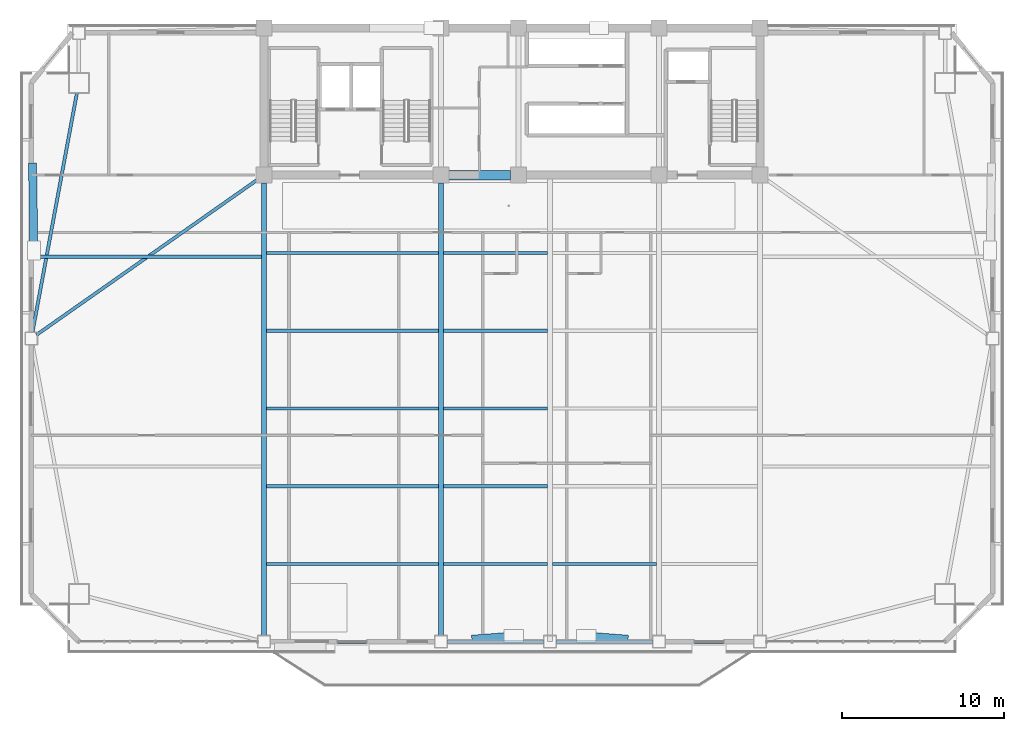
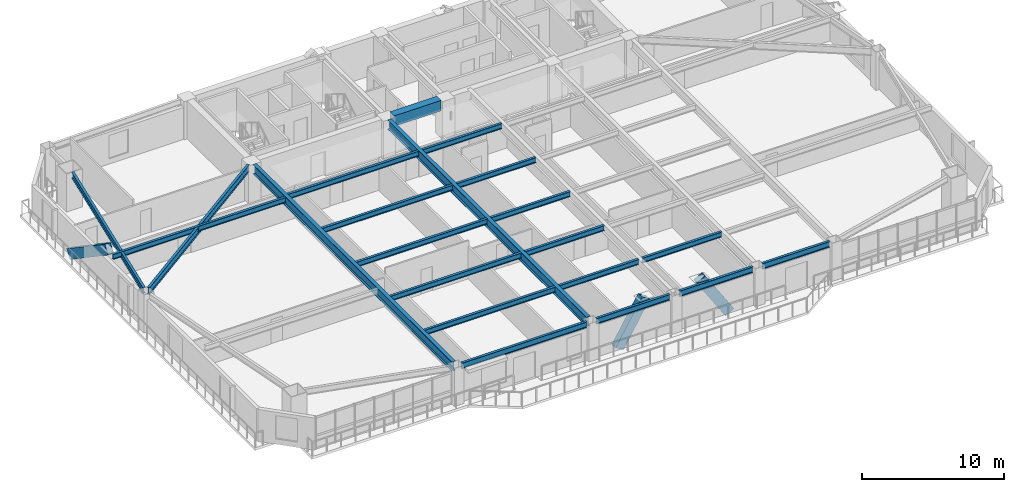
# One storey, part 3 of 15: 21 beams, 3 members.
"""IFC4 building model written with IfcOpenShell, lengths in metres."""

import ifcopenshell
import ifcopenshell.guid

model = None  # the IFC model being written
_history = None  # IfcOwnerHistory: only IFC2X3 demands one
_inside = {}  # id of a spatial element -> (the spatial element, [elements in it])
_under = {}  # id of a project, library or spatial element -> (it, [spatial elements below it])
_declared = {}  # id of a project -> (the project, [libraries it declares])
_typed = {}  # id of a type object -> (the type object, [elements of that type])
_made_of = {}  # id of a material, layer set ... -> (it, [elements and type objects made of it])


def new_model(schema):
    """Start an empty IFC model of exactly this schema.

    Asked for "IFC4X3", IfcOpenShell would pick the latest addendum, in which some entities
    have other attributes; the version numbers below select the first issue.
    IFC2X3 requires an IfcOwnerHistory on every rooted entity: one is made here for all.
    """
    global model, _history
    if schema == "IFC4X3":
        model = ifcopenshell.file(schema_version=(4, 3, 0, 0))
    else:
        model = ifcopenshell.file(schema=schema)
    _inside.clear()
    _under.clear()
    _declared.clear()
    _typed.clear()
    _made_of.clear()
    _history = None
    if model.schema == "IFC2X3":
        org = make("IfcOrganization", Name="unknown")
        user = make(
            "IfcPersonAndOrganization",
            ThePerson=make("IfcPerson", FamilyName="unknown"),
            TheOrganization=org,
        )
        app = make(
            "IfcApplication",
            ApplicationDeveloper=org,
            Version="unknown",
            ApplicationFullName="unknown",
            ApplicationIdentifier="unknown",
        )
        _history = make(
            "IfcOwnerHistory",
            OwningUser=user,
            OwningApplication=app,
            ChangeAction="ADDED",
            CreationDate=0,
        )
    return model


def make(cls, **values):
    """One entity of the class cls with the attributes given. An attribute that is None is left unset."""
    return model.create_entity(
        cls, **{name: value for name, value in values.items() if value is not None}
    )


def rooted(cls, **values):
    """An entity with a GlobalId (a new one), such as an element, a storey or a relation."""
    return make(cls, GlobalId=ifcopenshell.guid.new(), OwnerHistory=_history, **values)


def si_unit(unit_type, name, prefix=None):
    """IfcSIUnit, for example si_unit("LENGTHUNIT", "METRE", prefix="MILLI")."""
    return make("IfcSIUnit", UnitType=unit_type, Prefix=prefix, Name=name)


def assignment(units):
    """IfcUnitAssignment: the units of a project."""
    return None if units is None else make("IfcUnitAssignment", Units=units)


def point(xyz):
    """IfcCartesianPoint."""
    return None if xyz is None else make("IfcCartesianPoint", Coordinates=xyz)


def direction(xyz):
    """IfcDirection."""
    return None if xyz is None else make("IfcDirection", DirectionRatios=xyz)


def frame(location, z_axis=None, x_axis=None):
    """IfcAxis2Placement3D, a coordinate frame: its origin and axes. An axis left out is left unset."""
    return make(
        "IfcAxis2Placement3D",
        Location=point(location),
        Axis=direction(z_axis),
        RefDirection=direction(x_axis),
    )


def frame_2d(location, x_axis=None):
    """IfcAxis2Placement2D, a coordinate frame in the plane: its origin and x axis."""
    return make(
        "IfcAxis2Placement2D", Location=point(location), RefDirection=direction(x_axis)
    )


def origin():
    """The frame at (0, 0, 0) with its axes left unset."""
    return frame((0.0, 0.0, 0.0))


def origin_2d():
    """The frame at (0, 0) in the plane with its x axis left unset."""
    return frame_2d((0.0, 0.0))


def place(relative_to, where):
    """IfcLocalPlacement: puts the frame where relative to a parent placement (None: the world)."""
    return make(
        "IfcLocalPlacement", PlacementRelTo=relative_to, RelativePlacement=where
    )


def context(
    kind, dimensions, precision=None, world=None, true_north=None, identifier=None
):
    """IfcGeometricRepresentationContext, for example the 3D "Model" context."""
    return make(
        "IfcGeometricRepresentationContext",
        ContextIdentifier=identifier,
        ContextType=kind,
        CoordinateSpaceDimension=dimensions,
        Precision=precision,
        WorldCoordinateSystem=world,
        TrueNorth=true_north,
    )


def subcontext(parent, identifier, kind, view, scale=None):
    """IfcGeometricRepresentationSubContext, for example "Body" below "Model"."""
    return make(
        "IfcGeometricRepresentationSubContext",
        ContextIdentifier=identifier,
        ContextType=kind,
        ParentContext=parent,
        TargetScale=scale,
        TargetView=view,
    )


def project(units=None, contexts=None):
    """IfcProject with its units and contexts."""
    return rooted(
        "IfcProject",
        Name="project",
        RepresentationContexts=contexts,
        UnitsInContext=assignment(units),
    )


def spatial(cls, under=None, at=None, **own):
    """A site, building, storey or space (cls), placed at a placement, below another one or the project."""
    s = rooted(cls, ObjectPlacement=at, **own)
    if under is not None:
        _under.setdefault(under.id(), (under, []))[1].append(s)
    return s


def profile(cls, at=None, kind="AREA", **sizes):
    """A parametric profile (cls). Its sizes go by their IFC names, for example OverallWidth=200.0."""
    return make(cls, ProfileType=kind, Position=at, **sizes)


def rectangle(**sizes):
    """IfcRectangleProfileDef."""
    return profile("IfcRectangleProfileDef", **sizes)


def hollow_rectangle(**sizes):
    """IfcRectangleHollowProfileDef."""
    return profile("IfcRectangleHollowProfileDef", **sizes)


def i_section(**sizes):
    """IfcIShapeProfileDef."""
    return profile("IfcIShapeProfileDef", **sizes)


def extrude(swept, where, along, depth):
    """IfcExtrudedAreaSolid: the profile swept, set in the frame where, extruded along a direction by depth."""
    return make(
        "IfcExtrudedAreaSolid",
        SweptArea=swept,
        Position=where,
        ExtrudedDirection=direction(along),
        Depth=depth,
    )


def shape(context_of_items, identifier, shape_type, items):
    """IfcShapeRepresentation: the items that make up one representation, for example the "Body"."""
    return make(
        "IfcShapeRepresentation",
        ContextOfItems=context_of_items,
        RepresentationIdentifier=identifier,
        RepresentationType=shape_type,
        Items=items,
    )


def source(mapping_origin, context_of_items, identifier, shape_type, items):
    """IfcRepresentationMap: a shape defined once, which mapped items show again and again."""
    return make(
        "IfcRepresentationMap",
        MappingOrigin=mapping_origin,
        MappedRepresentation=shape(context_of_items, identifier, shape_type, items),
    )


def transform(
    local_origin,
    x_axis=None,
    y_axis=None,
    z_axis=None,
    scale=None,
    scale2=None,
    scale3=None,
    uniform=True,
):
    """IfcCartesianTransformationOperator3D, or its non-uniform kind. x_axis, y_axis, z_axis: its Axis1, 2, 3."""
    if uniform:
        return make(
            "IfcCartesianTransformationOperator3D",
            Axis1=direction(x_axis),
            Axis2=direction(y_axis),
            LocalOrigin=point(local_origin),
            Scale=scale,
            Axis3=direction(z_axis),
        )
    return make(
        "IfcCartesianTransformationOperator3DnonUniform",
        Axis1=direction(x_axis),
        Axis2=direction(y_axis),
        LocalOrigin=point(local_origin),
        Scale=scale,
        Axis3=direction(z_axis),
        Scale2=scale2,
        Scale3=scale3,
    )


def mapped(mapping_source, mapping_target):
    """IfcMappedItem: shows the shape of a source again, moved by a transform."""
    return make(
        "IfcMappedItem", MappingSource=mapping_source, MappingTarget=mapping_target
    )


def material(Name=None, Category=None):
    """IfcMaterial."""
    return make("IfcMaterial", Name=Name, Category=Category)


def material_profile(
    of_material, cross_section, Name=None, Category=None, Priority=None
):
    """IfcMaterialProfile: a cross section and its material."""
    return make(
        "IfcMaterialProfile",
        Name=Name,
        Material=of_material,
        Profile=cross_section,
        Priority=Priority,
        Category=Category,
    )


def profile_set(profiles, Name=None, composite=None):
    """IfcMaterialProfileSet."""
    return make(
        "IfcMaterialProfileSet",
        Name=Name,
        MaterialProfiles=profiles,
        CompositeProfile=composite,
    )


def made_of(thing, what):
    """Note that an element or type object is made of a material, layer set ...; save() writes the relation."""
    if what is not None:
        _made_of.setdefault(what.id(), (what, []))[1].append(thing)
    return thing


def type_object(cls, material=None, **own):
    """A type object (cls), such as IfcWallType, which elements share."""
    return made_of(rooted(cls, **own), material)


def element(
    cls,
    number,
    at=None,
    inside=None,
    cuts=None,
    type_object=None,
    material=None,
    context=None,
    identifier="Body",
    shape_type=None,
    held_by="IfcProductDefinitionShape",
    body=None,
    shapes=None,
    **own,
):
    """One element of the class cls, such as IfcWall. Its Tag is "e" and its number.

    at: its placement. inside: the storey or other place that contains it. cuts: it is an
    opening in that element (IfcRelVoidsElement). A single representation is given by context,
    identifier, shape_type and body (its items); several are given by shapes. held_by: the class
    of the entity that holds the representations. save() writes the other relations.
    """
    e = rooted(cls, Tag="e%d" % number, ObjectPlacement=at, **own)
    if body is not None:
        shapes = [shape(context, identifier, shape_type, body)]
    if shapes is not None:
        e.Representation = make(held_by, Representations=shapes)
    if inside is not None:
        _inside.setdefault(inside.id(), (inside, []))[1].append(e)
    if cuts is not None:
        rooted(
            "IfcRelVoidsElement", RelatingBuildingElement=cuts, RelatedOpeningElement=e
        )
    if type_object is not None:
        _typed.setdefault(type_object.id(), (type_object, []))[1].append(e)
    return made_of(e, material)


def aggregate(whole, parts):
    """IfcRelAggregates: a whole, such as a stair, and the parts it consists of."""
    return rooted("IfcRelAggregates", RelatingObject=whole, RelatedObjects=parts)


def save(model, path):
    """Write the relations noted so far, then the file.

    IfcRelAggregates (storeys below a building ...), IfcRelContainedInSpatialStructure (elements
    in a storey), IfcRelDefinesByType, IfcRelAssociatesMaterial and IfcRelDeclares: one each for
    every whole, place, type object, material and project.
    """
    for whole, parts in _under.values():
        aggregate(whole, parts)
    for where, things in _inside.values():
        rooted(
            "IfcRelContainedInSpatialStructure",
            RelatedElements=things,
            RelatingStructure=where,
        )
    for kind, things in _typed.values():
        rooted("IfcRelDefinesByType", RelatedObjects=things, RelatingType=kind)
    for what, things in _made_of.values():
        rooted("IfcRelAssociatesMaterial", RelatedObjects=things, RelatingMaterial=what)
    for by, libraries in _declared.values():
        rooted("IfcRelDeclares", RelatingContext=by, RelatedDefinitions=libraries)
    model.write(path)


model = new_model("IFC4")

# Units and contexts
model_context = context("Model", 3, precision=1e-05, world=origin(), true_north=direction((0.0, 1.0)))
body_context = subcontext(model_context, "Body", "Model", "MODEL_VIEW")
ifc_project = project(units=[si_unit("LENGTHUNIT", "METRE"), si_unit("AREAUNIT", "SQUARE_METRE"), si_unit("VOLUMEUNIT", "CUBIC_METRE"), si_unit("PLANEANGLEUNIT", "RADIAN"), si_unit("MASSUNIT", "GRAM", prefix="KILO")], contexts=[model_context])

# Site, building, storey
site_placement = place(None, origin())
site = spatial("IfcSite", under=ifc_project, at=site_placement, CompositionType="ELEMENT")
building_placement = place(site_placement, origin())
building = spatial("IfcBuilding", under=site, at=building_placement, Name="Giltprow Tower", CompositionType="ELEMENT")
storey_placement = place(building_placement, frame((0.0, 0.0, 152.699951171875)))
storey = spatial("IfcBuildingStorey", under=building, at=storey_placement, Name="L37", CompositionType="ELEMENT", Elevation=152.699951171875)

# Beams
ifc_material_1 = material(Name="Structural steel Q355B", Category="steel")
ifc_material_profile_1 = material_profile(ifc_material_1, i_section(OverallWidth=0.199951171875, OverallDepth=0.449951171875, WebThickness=0.009033203125, FlangeThickness=0.013916015625, at=origin_2d()), Name="HN 450x200x9x14")
ifc_profile_set_1 = profile_set([ifc_material_profile_1], Name="Structural steel Q355B")
beam_type_1 = type_object("IfcBeamType", Name="BM-JOIST-HN450", PredefinedType="JOIST", material=ifc_profile_set_1)
shared_shape_1 = source(origin(), body_context, "Body", "SweptSolid", [
    extrude(i_section(OverallWidth=0.199951171875, OverallDepth=0.449951171875, WebThickness=0.009033203125, FlangeThickness=0.013916015625, at=origin_2d()), origin(), (0.0, 0.0, 1.0), 10.659912109375),
])
for number, where, z_axis, x_axis, name in (
    (1, (19.9951171875, 13.385009765625, 3.045166015625), (1.0, 0.0, 0.0), (0.0, 1.0, 0.0), "L37 Composite Floor Joist 1-1"),
    (2, (19.9951171875, 18.197998046875, 3.045166015625), (1.0, 0.0, 0.0), (0.0, 1.0, 0.0), "L37 Composite Floor Joist 2-1"),
    (3, (19.9951171875, 23.010986328125, 3.045166015625), (1.0, 0.0, 0.0), (0.0, 1.0, 0.0), "L37 Composite Floor Joist 3-1"),
    (4, (19.9951171875, 27.823974609375, 3.045166015625), (1.0, 0.0, 0.0), (0.0, 1.0, 0.0), "L37 Composite Floor Joist 4-1"),
    (5, (19.9951171875, 32.636962890625, 3.045166015625), (1.0, 0.0, 0.0), (0.0, 1.0, 0.0), "L37 Composite Floor Joist 5-1"),
):
    element("IfcBeam", number, at=place(storey_placement, frame(where, z_axis=z_axis, x_axis=x_axis)), inside=storey, type_object=beam_type_1, Name=name, PredefinedType="JOIST", context=body_context, shape_type="MappedRepresentation", body=[
        mapped(shared_shape_1, transform((0.0, 0.0, 0.0), x_axis=(1.0, 0.0, 0.0), y_axis=(0.0, 1.0, 0.0), z_axis=(0.0, 0.0, 1.0), scale=1.0)),
    ])
shared_shape_2 = source(origin(), body_context, "Body", "SweptSolid", [
    extrude(i_section(OverallWidth=0.199951171875, OverallDepth=0.449951171875, WebThickness=0.009033203125, FlangeThickness=0.013916015625, at=origin_2d()), origin(), (0.0, 0.0, 1.0), 6.4599609375),
])
for number, where, z_axis, x_axis, name in (
    (6, (30.945068359375, 13.385009765625, 3.045166015625), (1.0, 0.0, 0.0), (0.0, 1.0, 0.0), "L37 Composite Floor Joist 1-2"),
    (7, (37.695068359375, 13.385009765625, 3.045166015625), (1.0, 0.0, 0.0), (0.0, 1.0, 0.0), "L37 Composite Floor Joist 1-3"),
    (8, (30.945068359375, 18.197998046875, 3.045166015625), (1.0, 0.0, 0.0), (0.0, 1.0, 0.0), "L37 Composite Floor Joist 2-2"),
    (9, (30.945068359375, 23.010986328125, 3.045166015625), (1.0, 0.0, 0.0), (0.0, 1.0, 0.0), "L37 Composite Floor Joist 3-2"),
    (10, (30.945068359375, 27.823974609375, 3.045166015625), (1.0, 0.0, 0.0), (0.0, 1.0, 0.0), "L37 Composite Floor Joist 4-2"),
    (11, (30.945068359375, 32.636962890625, 3.045166015625), (1.0, 0.0, 0.0), (0.0, 1.0, 0.0), "L37 Composite Floor Joist 5-2"),
):
    element("IfcBeam", number, at=place(storey_placement, frame(where, z_axis=z_axis, x_axis=x_axis)), inside=storey, type_object=beam_type_1, Name=name, PredefinedType="JOIST", context=body_context, shape_type="MappedRepresentation", body=[
        mapped(shared_shape_2, transform((0.0, 0.0, 0.0), x_axis=(1.0, 0.0, 0.0), y_axis=(0.0, 1.0, 0.0), z_axis=(0.0, 0.0, 1.0), scale=1.0)),
    ])
ifc_material_profile_2 = material_profile(ifc_material_1, i_section(OverallWidth=0.199951171875, OverallDepth=0.5, WebThickness=0.010009765625, FlangeThickness=0.01611328125, at=origin_2d()), Name="HN 500x200x10x16")
ifc_profile_set_2 = profile_set([ifc_material_profile_2], Name="Structural steel Q355B")
beam_type_2 = type_object("IfcBeamType", Name="BM-SPAN-HN500", PredefinedType="SPANDREL", material=ifc_profile_set_2)
shared_shape_3 = source(origin(), body_context, "Body", "SweptSolid", [
    extrude(i_section(OverallWidth=0.199951171875, OverallDepth=0.5, WebThickness=0.010009765625, FlangeThickness=0.01611328125, at=origin_2d()), origin(), (0.0, 0.0, 1.0), 10.179931640625),
])
beam_1_placement = place(storey_placement, frame((20.235107421875, 8.572021484375, 3.02001953125), z_axis=(1.0, 0.0, 0.0), x_axis=(0.0, 1.0, 0.0)))
element("IfcBeam", 12, at=beam_1_placement, inside=storey, type_object=beam_type_2, Name="L37 Perimeter Spandrel Beam S1-S2", PredefinedType="SPANDREL", context=body_context, shape_type="MappedRepresentation", body=[
    mapped(shared_shape_3, transform((0.0, 0.0, 0.0), x_axis=(1.0, 0.0, 0.0), y_axis=(0.0, 1.0, 0.0), z_axis=(0.0, 0.0, 1.0), scale=1.0)),
])
shared_shape_4 = source(origin(), body_context, "Body", "SweptSolid", [
    extrude(i_section(OverallWidth=0.199951171875, OverallDepth=0.5, WebThickness=0.010009765625, FlangeThickness=0.01611328125, at=origin_2d()), origin(), (0.0, 0.0, 1.0), 5.97998046875),
])
for number, where, z_axis, x_axis, name in (
    (13, (31.18505859375, 8.572021484375, 3.02001953125), (1.0, 0.0, 0.0), (0.0, 1.0, 0.0), "L37 Perimeter Spandrel Beam S2-S_MID"),
    (14, (37.93505859375, 8.572021484375, 3.02001953125), (1.0, 0.0, 0.0), (0.0, 1.0, 0.0), "L37 Perimeter Spandrel Beam S_MID-S3"),
):
    element("IfcBeam", number, at=place(storey_placement, frame(where, z_axis=z_axis, x_axis=x_axis)), inside=storey, type_object=beam_type_2, Name=name, PredefinedType="SPANDREL", context=body_context, shape_type="MappedRepresentation", body=[
        mapped(shared_shape_4, transform((0.0, 0.0, 0.0), x_axis=(1.0, 0.0, 0.0), y_axis=(0.0, 1.0, 0.0), z_axis=(0.0, 0.0, 1.0), scale=1.0)),
    ])
shared_shape_5 = source(origin(), body_context, "Body", "SweptSolid", [
    extrude(i_section(OverallWidth=0.199951171875, OverallDepth=0.5, WebThickness=0.010009765625, FlangeThickness=0.01611328125, at=origin_2d()), origin(), (0.0, 0.0, 1.0), 5.47998046875),
])
beam_2_placement = place(storey_placement, frame((44.68505859375, 8.572021484375, 3.02001953125), z_axis=(1.0, 0.0, 0.0), x_axis=(0.0, 1.0, 0.0)))
element("IfcBeam", 15, at=beam_2_placement, inside=storey, type_object=beam_type_2, Name="L37 Perimeter Spandrel Beam S3-S4", PredefinedType="SPANDREL", context=body_context, shape_type="MappedRepresentation", body=[
    mapped(shared_shape_5, transform((0.0, 0.0, 0.0), x_axis=(1.0, 0.0, 0.0), y_axis=(0.0, 1.0, 0.0), z_axis=(0.0, 0.0, 1.0), scale=1.0)),
])
shared_shape_6 = source(origin(), body_context, "Body", "SweptSolid", [
    extrude(i_section(OverallWidth=0.199951171875, OverallDepth=0.5, WebThickness=0.010009765625, FlangeThickness=0.01611328125, at=origin_2d()), origin(), (0.0, 0.0, 1.0), 15.075439453125),
])
beam_3_placement = place(storey_placement, frame((8.27197265625, 42.537109375, 3.02001953125), z_axis=(-0.182609413871, -0.983185537915, 0.0), x_axis=(0.983185537915, -0.182609413871, 0.0)))
element("IfcBeam", 16, at=beam_3_placement, inside=storey, type_object=beam_type_2, Name="L37 Perimeter Spandrel Beam MC_NW-W_MID", PredefinedType="SPANDREL", context=body_context, shape_type="MappedRepresentation", body=[
    mapped(shared_shape_6, transform((0.0, 0.0, 0.0), x_axis=(1.0, 0.0, 0.0), y_axis=(0.0, 1.0, 0.0), z_axis=(0.0, 0.0, 1.0), scale=1.0)),
])
shared_shape_7 = source(origin(), body_context, "Body", "SweptSolid", [
    extrude(i_section(OverallWidth=0.199951171875, OverallDepth=0.449951171875, WebThickness=0.009033203125, FlangeThickness=0.013916015625, at=origin_2d()), origin(), (0.0, 0.0, 1.0), 14.0361328125),
])
beam_4_placement = place(storey_placement, frame((5.6689453125, 32.39306640625, 3.045166015625), z_axis=(1.0, 0.0, 0.0), x_axis=(0.0, 1.0, 0.0)))
element("IfcBeam", 17, at=beam_4_placement, inside=storey, type_object=beam_type_1, Name="L37 West Wing Floor Joist 2", PredefinedType="JOIST", context=body_context, shape_type="MappedRepresentation", body=[
    mapped(shared_shape_7, transform((0.0, 0.0, 0.0), x_axis=(1.0, 0.0, 0.0), y_axis=(0.0, 1.0, 0.0), z_axis=(0.0, 0.0, 1.0), scale=1.0)),
])
ifc_material_2 = material(Name="Concrete C50", Category="concrete")
ifc_material_profile_3 = material_profile(ifc_material_2, rectangle(XDim=0.60009765625, YDim=0.89990234375, at=origin_2d()), Name="RC 900x600")
ifc_profile_set_3 = profile_set([ifc_material_profile_3], Name="Concrete C50")
beam_type_3 = type_object("IfcBeamType", Name="BM-CPL-RC900", PredefinedType="LINTEL", material=ifc_profile_set_3)
shared_shape_8 = source(origin(), body_context, "Body", "SweptSolid", [
    extrude(rectangle(XDim=0.60009765625, YDim=0.89990234375, at=origin_2d()), origin(), (0.0, 0.0, 1.0), 3.830078125),
])
beam_5_placement = place(storey_placement, frame((31.284912109375, 37.449951171875, 2.820068359375), z_axis=(1.0, 0.0, 0.0), x_axis=(0.0, 1.0, 0.0)))
element("IfcBeam", 18, at=beam_5_placement, inside=storey, type_object=beam_type_3, Name="L37 Core Coupling Beam CB-1", PredefinedType="LINTEL", context=body_context, shape_type="MappedRepresentation", body=[
    mapped(shared_shape_8, transform((0.0, 0.0, 0.0), x_axis=(1.0, 0.0, 0.0), y_axis=(0.0, 1.0, 0.0), z_axis=(0.0, 0.0, 1.0), scale=1.0)),
])
ifc_material_profile_4 = material_profile(ifc_material_1, i_section(OverallWidth=0.300048828125, OverallDepth=0.800048828125, WebThickness=0.013916015625, FlangeThickness=0.02587890625, at=origin_2d()), Name="HN 800x300x14x26")
ifc_profile_set_4 = profile_set([ifc_material_profile_4], Name="Structural steel Q355B")
beam_type_4 = type_object("IfcBeamType", Name="BM-GIRD-HN800", PredefinedType="BEAM", material=ifc_profile_set_4)
shared_shape_9 = source(origin(), body_context, "Body", "SweptSolid", [
    extrude(i_section(OverallWidth=0.300048828125, OverallDepth=0.800048828125, WebThickness=0.013916015625, FlangeThickness=0.02587890625, at=origin_2d()), origin(), (0.0, 0.0, 1.0), 28.008056640625),
])
for number, where, z_axis, x_axis, name in (
    (19, (19.85009765625, 8.95703125, 2.8701171875), (0.0, 1.0, 0.0), (-1.0, 0.0, 0.0), "L37 Primary Lease Girder S1"),
    (20, (30.800048828125, 8.95703125, 2.8701171875), (0.0, 1.0, 0.0), (-1.0, 0.0, 0.0), "L37 Primary Lease Girder S2"),
):
    element("IfcBeam", number, at=place(storey_placement, frame(where, z_axis=z_axis, x_axis=x_axis)), inside=storey, type_object=beam_type_4, Name=name, PredefinedType="BEAM", context=body_context, shape_type="MappedRepresentation", body=[
        mapped(shared_shape_9, transform((0.0, 0.0, 0.0), x_axis=(1.0, 0.0, 0.0), y_axis=(0.0, 1.0, 0.0), z_axis=(0.0, 0.0, 1.0), scale=1.0)),
    ])
ifc_material_profile_5 = material_profile(ifc_material_1, i_section(OverallWidth=0.199951171875, OverallDepth=0.60009765625, WebThickness=0.010986328125, FlangeThickness=0.01708984375, at=origin_2d()), Name="HN 600x200x11x17")
ifc_profile_set_5 = profile_set([ifc_material_profile_5], Name="Structural steel Q355B")
beam_type_5 = type_object("IfcBeamType", Name="BM-GIRD-HN600", PredefinedType="BEAM", material=ifc_profile_set_5)
shared_shape_10 = source(origin(), body_context, "Body", "SweptSolid", [
    extrude(i_section(OverallWidth=0.199951171875, OverallDepth=0.60009765625, WebThickness=0.010986328125, FlangeThickness=0.01708984375, at=origin_2d()), origin(), (0.0, 0.0, 1.0), 16.727783203125),
])
beam_6_placement = place(storey_placement, frame((5.763916015625, 27.556884765625, 2.969970703125), z_axis=(0.818339560657, 0.574735037616, 0.0), x_axis=(-0.574735037616, 0.818339560657, 0.0)))
element("IfcBeam", 21, at=beam_6_placement, inside=storey, type_object=beam_type_5, Name="L37 West Wing Primary Girder", PredefinedType="BEAM", context=body_context, shape_type="MappedRepresentation", body=[
    mapped(shared_shape_10, transform((0.0, 0.0, 0.0), x_axis=(1.0, 0.0, 0.0), y_axis=(0.0, 1.0, 0.0), z_axis=(0.0, 0.0, 1.0), scale=1.0)),
])

# Members
ifc_material_3 = material(Name="Structural steel Q420GJC", Category="steel")
ifc_material_profile_6 = material_profile(ifc_material_3, hollow_rectangle(XDim=0.5, YDim=0.800048828125, WallThickness=0.035888671875, at=origin_2d()), Name="RHS 800x500x36")
ifc_profile_set_6 = profile_set([ifc_material_profile_6], Name="Structural steel Q420GJC")
member_type = type_object("IfcMemberType", Name="MBR-MEGA-RHS800", PredefinedType="BRACE", material=ifc_profile_set_6)
shared_shape_11 = source(origin(), body_context, "Body", "SweptSolid", [
    extrude(hollow_rectangle(XDim=0.5, YDim=0.800048828125, WallThickness=0.035888671875, at=origin_2d()), origin(), (0.0, 0.0, 1.0), 4.16455078125),
])
for number, where, z_axis, x_axis, name in (
    (22, (33.050048828125, 8.7470703125, 0.0), (0.540274331149, 0.042267555638, 0.840426737343), (-0.077995186993, 0.996953735539, 0.0), "L37 Chevron Mega-Brace S-L"),
    (23, (42.050048828125, 8.7470703125, 0.0), (-0.540274331149, 0.042267555638, 0.840426737343), (-0.077995186993, -0.996953735539, 0.0), "L37 Chevron Mega-Brace S-R"),
):
    element("IfcMember", number, at=place(storey_placement, frame(where, z_axis=z_axis, x_axis=x_axis)), inside=storey, type_object=member_type, Name=name, PredefinedType="BRACE", context=body_context, shape_type="MappedRepresentation", body=[
        mapped(shared_shape_11, transform((0.0, 0.0, 0.0), x_axis=(1.0, 0.0, 0.0), y_axis=(0.0, 1.0, 0.0), z_axis=(0.0, 0.0, 1.0), scale=1.0)),
    ])
shared_shape_12 = source(origin(), body_context, "Body", "SweptSolid", [
    extrude(hollow_rectangle(XDim=0.5, YDim=0.800048828125, WallThickness=0.035888671875, at=origin_2d()), origin(), (0.0, 0.0, 1.0), 6.259033203125),
])
member_placement = place(storey_placement, frame((5.527099609375, 37.97412109375, 0.0), z_axis=(0.012599222864, -0.82893524796, 0.559202659393), x_axis=(0.999884510881, 0.015197529388, 0.0)))
element("IfcMember", 24, at=member_placement, inside=storey, type_object=member_type, Name="L37 Chevron Mega-Brace W-R", PredefinedType="BRACE", context=body_context, shape_type="MappedRepresentation", body=[
    mapped(shared_shape_12, transform((0.0, 0.0, 0.0), x_axis=(1.0, 0.0, 0.0), y_axis=(0.0, 1.0, 0.0), z_axis=(0.0, 0.0, 1.0), scale=1.0)),
])

save(model, "model.ifc")
